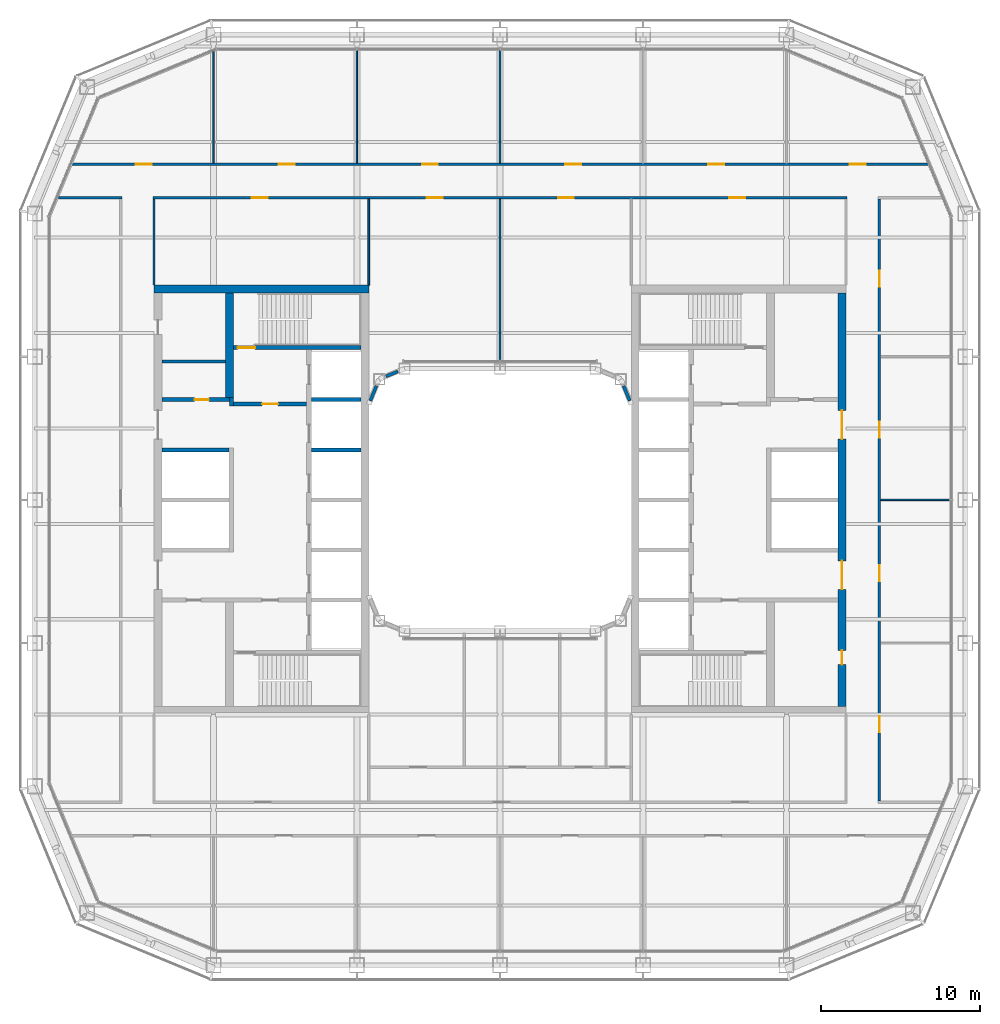
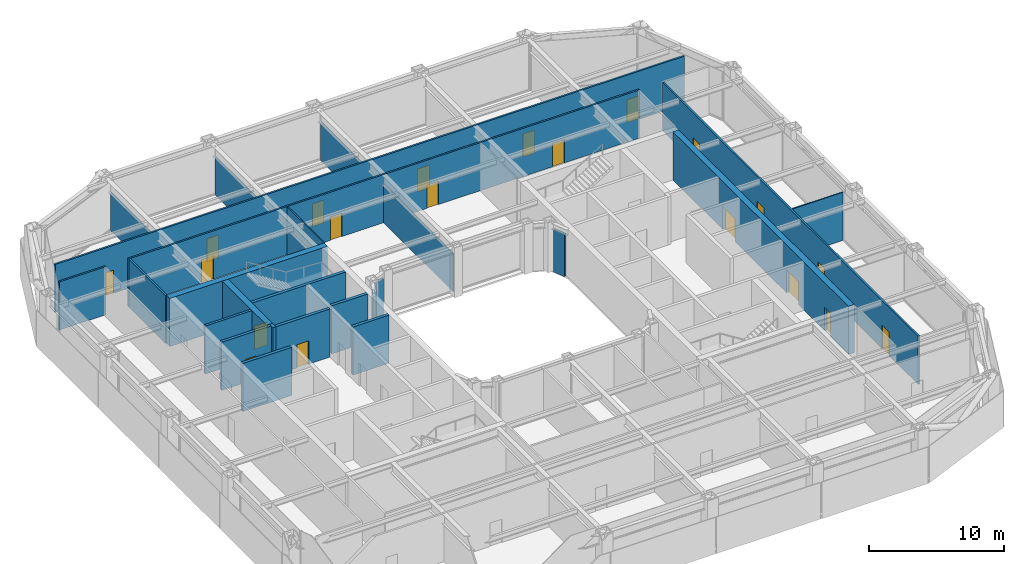
# One storey, part 13 of 21: 25 walls, 20 doors, 20 openings.
"""IFC4 building model written with IfcOpenShell, lengths in metres."""

from ifc_helpers import new_model, si_unit, direction, frame, frame_2d, origin, place, context, subcontext, project, spatial, rectangle, extrude, material, layer, layer_set, type_object, element, fill, save


model = new_model("IFC4")

# Units and contexts
model_context = context("Model", 3, precision=1e-05, world=origin(), true_north=direction((0.0, 1.0)))
body_context = subcontext(model_context, "Body", "Model", "MODEL_VIEW")
ifc_project = project(units=[si_unit("LENGTHUNIT", "METRE"), si_unit("AREAUNIT", "SQUARE_METRE"), si_unit("VOLUMEUNIT", "CUBIC_METRE"), si_unit("PLANEANGLEUNIT", "RADIAN"), si_unit("MASSUNIT", "GRAM", prefix="KILO")], contexts=[model_context])

# Site, building, storey
site_placement = place(None, origin())
site = spatial("IfcSite", under=ifc_project, at=site_placement, CompositionType="ELEMENT")
building_placement = place(site_placement, origin())
building = spatial("IfcBuilding", under=site, at=building_placement, Name="Siwar Civic Tower", CompositionType="ELEMENT")
storey_placement = place(building_placement, frame((0.0, 0.0, 140.699951171875)))
storey = spatial("IfcBuildingStorey", under=building, at=storey_placement, Name="L30", CompositionType="ELEMENT", Elevation=140.699951171875)

# Wall
ifc_material_1 = material(Name="Gypsum board on steel studs", Category="steel")
ifc_layer_1 = layer(ifc_material_1, 0.199951171875)
ifc_layer_set_1 = layer_set([ifc_layer_1], Name="Gypsum board on steel studs")
wall_type_1 = type_object("IfcWallType", Name="CORE-PARTITION-200", PredefinedType="PARTITIONING", material=ifc_layer_set_1)
wall_1_placement = place(storey_placement, frame((-17.25, 8.699951171875, 0.0), z_axis=(0.0, 0.0, 1.0), x_axis=(-1.0, 0.0, 0.0)))
element("IfcWall", 1, at=wall_1_placement, inside=storey, type_object=wall_type_1, Name="Core partition W", PredefinedType="PARTITIONING", context=body_context, shape_type="SweptSolid", body=[
    extrude(rectangle(XDim=4.0, YDim=0.199951171875, at=frame_2d((2.0, 0.0))), origin(), (0.0, 0.0, 1.0), 4.35009765625),
])

# Wall, opening, door
ifc_material_2 = material(Name="Concrete C60/75", Category="concrete")
ifc_layer_2 = layer(ifc_material_2, 0.25)
ifc_layer_set_2 = layer_set([ifc_layer_2], Name="Concrete C60/75")
wall_type_2 = type_object("IfcWallType", Name="CORE-WALL-RC250", PredefinedType="SHEAR", material=ifc_layer_set_2)
wall_2_placement = place(storey_placement, frame((-12.14990234375, 6.02490234375, 0.0), z_axis=(0.0, 0.0, 1.0), x_axis=(-1.0, 0.0, 0.0)))
wall_2 = element("IfcWall", 2, at=wall_2_placement, inside=storey, type_object=wall_type_2, Name="Core wall W", PredefinedType="SHEAR", context=body_context, shape_type="SweptSolid", body=[
    extrude(rectangle(XDim=4.60009765625, YDim=0.25, at=frame_2d((2.300048828125, 0.0))), origin(), (0.0, 0.0, 1.0), 4.35009765625),
])
opening_1_placement = place(wall_2_placement, frame((1.800048828125, 0.0, 0.0)))
opening_1 = element("IfcOpeningElement", 3, at=opening_1_placement, cuts=wall_2, Name="Opening L30-CW01", PredefinedType="OPENING", context=body_context, shape_type="SweptSolid", body=[
    extrude(rectangle(XDim=1.0, YDim=2.10009765625, at=frame_2d((0.5, 1.050048828125))), frame((0.0, 0.135009765625, 0.0), z_axis=(0.0, -1.0, 0.0), x_axis=(1.0, 0.0, 0.0)), (0.0, 0.0, 1.0), 0.27001953125),
])
ifc_material_3 = material(Name="Steel door leaf", Category="steel")
door_type_1 = type_object("IfcDoorType", Name="CORE-DOOR-FD30S", OperationType="SINGLE_SWING_LEFT", PredefinedType="DOOR", material=ifc_material_3)
door_1_placement = place(opening_1_placement, origin())
door_1 = element("IfcDoor", 4, at=door_1_placement, inside=storey, type_object=door_type_1, Name="Firefighting lobby door L30-CW01", OperationType="SINGLE_SWING_LEFT", OverallHeight=2.10009765625, OverallWidth=1.0, PredefinedType="DOOR", context=body_context, shape_type="SweptSolid", body=[
    extrude(rectangle(XDim=1.0, YDim=2.10009765625, at=frame_2d((0.5, 1.050048828125))), frame((0.0, 0.02490234375, 0.0), z_axis=(0.0, -1.0, 0.0), x_axis=(1.0, 0.0, 0.0)), (0.0, 0.0, 1.0), 0.050048828125),
])
fill(opening_1, door_1)

# Wall
wall_3_placement = place(storey_placement, frame((-16.875, 5.89990234375, 0.0), z_axis=(0.0, 0.0, 1.0), x_axis=(0.0, 1.0, 0.0)))
element("IfcWall", 5, at=wall_3_placement, inside=storey, type_object=wall_type_2, Name="Core wall W", PredefinedType="SHEAR", context=body_context, shape_type="SweptSolid", body=[
    extrude(rectangle(XDim=0.525146484375, YDim=0.25, at=frame_2d((0.2626953125, 0.0))), origin(), (0.0, 0.0, 1.0), 4.35009765625),
])

# Wall, opening, door
wall_4_placement = place(storey_placement, frame((-17.0, 6.300048828125, 0.0), z_axis=(0.0, 0.0, 1.0), x_axis=(-1.0, 0.0, 0.0)))
wall_4 = element("IfcWall", 6, at=wall_4_placement, inside=storey, type_object=wall_type_2, Name="Core wall W", PredefinedType="SHEAR", context=body_context, shape_type="SweptSolid", body=[
    extrude(rectangle(XDim=4.25, YDim=0.25, at=frame_2d((2.125, 0.0))), origin(), (0.0, 0.0, 1.0), 4.35009765625),
])
opening_2_placement = place(wall_4_placement, frame((1.300048828125, 0.0, 0.0)))
opening_2 = element("IfcOpeningElement", 7, at=opening_2_placement, cuts=wall_4, Name="Opening L30-CW13", PredefinedType="OPENING", context=body_context, shape_type="SweptSolid", body=[
    extrude(rectangle(XDim=0.89990234375, YDim=2.10009765625, at=frame_2d((0.449951171875, 1.050048828125))), frame((0.0, 0.135009765625, 0.0), z_axis=(0.0, -1.0, 0.0), x_axis=(1.0, 0.0, 0.0)), (0.0, 0.0, 1.0), 0.27001953125),
])
ifc_material_4 = material(Name="Steel door leaf", Category="steel")
door_type_2 = type_object("IfcDoorType", Name="CORE-DOOR-ROOM", OperationType="SINGLE_SWING_LEFT", PredefinedType="DOOR", material=ifc_material_4)
door_2_placement = place(opening_2_placement, origin())
door_2 = element("IfcDoor", 8, at=door_2_placement, inside=storey, type_object=door_type_2, Name="Core room door L30-CW13", OperationType="SINGLE_SWING_LEFT", OverallHeight=2.10009765625, OverallWidth=0.89990234375, PredefinedType="DOOR", context=body_context, shape_type="SweptSolid", body=[
    extrude(rectangle(XDim=0.89990234375, YDim=2.10009765625, at=frame_2d((0.449951171875, 1.050048828125))), frame((0.0, 0.02490234375, 0.0), z_axis=(0.0, -1.0, 0.0), x_axis=(1.0, 0.0, 0.0)), (0.0, 0.0, 1.0), 0.050048828125),
])
fill(opening_2, door_2)

# Walls
wall_5_placement = place(storey_placement, frame((-17.050048828125, 3.14990234375, 0.0), z_axis=(0.0, 0.0, 1.0), x_axis=(-1.0, 0.0, 0.0)))
element("IfcWall", 9, at=wall_5_placement, inside=storey, type_object=wall_type_2, Name="Core wall W", PredefinedType="SHEAR", context=body_context, shape_type="SweptSolid", body=[
    extrude(rectangle(XDim=4.199951171875, YDim=0.25, at=frame_2d((2.10009765625, 0.0))), origin(), (0.0, 0.0, 1.0), 4.35009765625),
])
for number, where, z_axis, x_axis, name in (
    (10, (-8.75, 3.14990234375, 0.0), (0.0, 0.0, 1.0), (-1.0, 0.0, 0.0), "Core wall W"),
    (11, (-8.75, 6.300048828125, 0.0), (0.0, 0.0, 1.0), (-1.0, 0.0, 0.0), "Core wall W"),
):
    element("IfcWall", number, at=place(storey_placement, frame(where, z_axis=z_axis, x_axis=x_axis)), inside=storey, type_object=wall_type_2, Name=name, PredefinedType="SHEAR", context=body_context, shape_type="SweptSolid", body=[
        extrude(rectangle(XDim=3.10009765625, YDim=0.25, at=frame_2d((1.550048828125, 0.0))), origin(), (0.0, 0.0, 1.0), 4.35009765625),
    ])

# Wall, opening, door
wall_6_placement = place(storey_placement, frame((-8.75, 9.574951171875, 0.0), z_axis=(0.0, 0.0, 1.0), x_axis=(-1.0, 0.0, 0.0)))
wall_6 = element("IfcWall", 12, at=wall_6_placement, inside=storey, type_object=wall_type_2, Name="Core wall W", PredefinedType="SHEAR", context=body_context, shape_type="SweptSolid", body=[
    extrude(rectangle(XDim=8.0, YDim=0.25, at=frame_2d((4.0, 0.0))), origin(), (0.0, 0.0, 1.0), 4.35009765625),
])
opening_3_placement = place(wall_6_placement, frame((6.64990234375, 0.0, 0.0)))
opening_3 = element("IfcOpeningElement", 13, at=opening_3_placement, cuts=wall_6, Name="Opening L30-CW03", PredefinedType="OPENING", context=body_context, shape_type="SweptSolid", body=[
    extrude(rectangle(XDim=1.10009765625, YDim=2.10009765625, at=frame_2d((0.550048828125, 1.050048828125))), frame((0.0, 0.135009765625, 0.0), z_axis=(0.0, -1.0, 0.0), x_axis=(1.0, 0.0, 0.0)), (0.0, 0.0, 1.0), 0.27001953125),
])
ifc_material_5 = material(Name="Steel door leaf", Category="steel")
door_type_3 = type_object("IfcDoorType", Name="CORE-DOOR-FD60S", OperationType="SINGLE_SWING_LEFT", PredefinedType="DOOR", material=ifc_material_5)
door_3_placement = place(opening_3_placement, origin())
door_3 = element("IfcDoor", 14, at=door_3_placement, inside=storey, type_object=door_type_3, Name="Stair door L30-CW03", OperationType="SINGLE_SWING_RIGHT", OverallHeight=2.10009765625, OverallWidth=1.10009765625, PredefinedType="DOOR", context=body_context, shape_type="SweptSolid", body=[
    extrude(rectangle(XDim=1.10009765625, YDim=2.10009765625, at=frame_2d((0.550048828125, 1.050048828125))), frame((0.0, 0.02490234375, 0.0), z_axis=(0.0, -1.0, 0.0), x_axis=(1.0, 0.0, 0.0)), (0.0, 0.0, 1.0), 0.050048828125),
])
fill(opening_3, door_3)

# Walls
ifc_material_6 = material(Name="Concrete C60/75", Category="concrete")
ifc_layer_3 = layer(ifc_material_6, 0.5)
ifc_layer_set_3 = layer_set([ifc_layer_3], Name="Concrete C60/75")
wall_type_3 = type_object("IfcWallType", Name="CORE-WALL-RC500", PredefinedType="SHEAR", material=ifc_layer_set_3)
wall_7_placement = place(storey_placement, frame((-17.0, 6.425048828125, 0.0), z_axis=(0.0, 0.0, 1.0), x_axis=(0.0, 1.0, 0.0)))
element("IfcWall", 15, at=wall_7_placement, inside=storey, type_object=wall_type_3, Name="Core wall W", PredefinedType="SHEAR", context=body_context, shape_type="SweptSolid", body=[
    extrude(rectangle(XDim=6.574951171875, YDim=0.5, at=frame_2d((3.28759765625, 0.0))), origin(), (0.0, 0.0, 1.0), 4.35009765625),
])
wall_8_placement = place(storey_placement, frame((-8.25, 13.25, 0.0), z_axis=(0.0, 0.0, 1.0), x_axis=(-1.0, 0.0, 0.0)))
element("IfcWall", 16, at=wall_8_placement, inside=storey, type_object=wall_type_3, Name="Core wall W", PredefinedType="SHEAR", context=body_context, shape_type="SweptSolid", body=[
    extrude(rectangle(XDim=13.5, YDim=0.5, at=frame_2d((6.75, 0.0))), origin(), (0.0, 0.0, 1.0), 4.35009765625),
])

# Wall, openings, doors
wall_9_placement = place(storey_placement, frame((21.5, -13.0, 0.0), z_axis=(0.0, 0.0, 1.0), x_axis=(0.0, 1.0, 0.0)))
wall_9 = element("IfcWall", 17, at=wall_9_placement, inside=storey, type_object=wall_type_3, Name="Core wall E", PredefinedType="SHEAR", context=body_context, shape_type="SweptSolid", body=[
    extrude(rectangle(XDim=26.0, YDim=0.5, at=frame_2d((13.0, 0.0))), origin(), (0.0, 0.0, 1.0), 4.35009765625),
])
opening_4_placement = place(wall_9_placement, frame((16.824951171875, 0.0, 0.0)))
opening_4 = element("IfcOpeningElement", 18, at=opening_4_placement, cuts=wall_9, Name="Opening L30-CE05", PredefinedType="OPENING", context=body_context, shape_type="SweptSolid", body=[
    extrude(rectangle(XDim=1.800048828125, YDim=2.10009765625, at=frame_2d((0.89990234375, 1.050048828125))), frame((0.0, 0.260009765625, 0.0), z_axis=(0.0, -1.0, 0.0), x_axis=(1.0, 0.0, 0.0)), (0.0, 0.0, 1.0), 0.52001953125),
])
opening_5_placement = place(wall_9_placement, frame((7.375, 0.0, 0.0)))
opening_5 = element("IfcOpeningElement", 19, at=opening_5_placement, cuts=wall_9, Name="Opening L30-CE06", PredefinedType="OPENING", context=body_context, shape_type="SweptSolid", body=[
    extrude(rectangle(XDim=1.800048828125, YDim=2.10009765625, at=frame_2d((0.89990234375, 1.050048828125))), frame((0.0, 0.260009765625, 0.0), z_axis=(0.0, -1.0, 0.0), x_axis=(1.0, 0.0, 0.0)), (0.0, 0.0, 1.0), 0.52001953125),
])
opening_6_placement = place(wall_9_placement, frame((2.64990234375, 0.0, 0.0)))
opening_6 = element("IfcOpeningElement", 20, at=opening_6_placement, cuts=wall_9, Name="Opening L30-CE14", PredefinedType="OPENING", context=body_context, shape_type="SweptSolid", body=[
    extrude(rectangle(XDim=0.89990234375, YDim=2.10009765625, at=frame_2d((0.449951171875, 1.050048828125))), frame((0.0, 0.260009765625, 0.0), z_axis=(0.0, -1.0, 0.0), x_axis=(1.0, 0.0, 0.0)), (0.0, 0.0, 1.0), 0.52001953125),
])
ifc_material_7 = material(Name="Steel door leaf", Category="steel")
door_type_4 = type_object("IfcDoorType", Name="CORE-DOOR-PORT", OperationType="DOUBLE_DOOR_DOUBLE_SWING", PredefinedType="DOOR", material=ifc_material_7)
door_4_placement = place(opening_4_placement, origin())
door_4 = element("IfcDoor", 21, at=door_4_placement, inside=storey, type_object=door_type_4, Name="Core entrance door L30-CE05", OperationType="DOUBLE_DOOR_DOUBLE_SWING", OverallHeight=2.10009765625, OverallWidth=1.800048828125, PredefinedType="DOOR", context=body_context, shape_type="SweptSolid", body=[
    extrude(rectangle(XDim=1.800048828125, YDim=2.10009765625, at=frame_2d((0.89990234375, 1.050048828125))), frame((0.0, 0.02490234375, 0.0), z_axis=(0.0, -1.0, 0.0), x_axis=(1.0, 0.0, 0.0)), (0.0, 0.0, 1.0), 0.050048828125),
])
fill(opening_4, door_4)
door_5_placement = place(opening_5_placement, origin())
door_5 = element("IfcDoor", 22, at=door_5_placement, inside=storey, type_object=door_type_4, Name="Core entrance door L30-CE06", OperationType="DOUBLE_DOOR_DOUBLE_SWING", OverallHeight=2.10009765625, OverallWidth=1.800048828125, PredefinedType="DOOR", context=body_context, shape_type="SweptSolid", body=[
    extrude(rectangle(XDim=1.800048828125, YDim=2.10009765625, at=frame_2d((0.89990234375, 1.050048828125))), frame((0.0, 0.02490234375, 0.0), z_axis=(0.0, -1.0, 0.0), x_axis=(1.0, 0.0, 0.0)), (0.0, 0.0, 1.0), 0.050048828125),
])
fill(opening_5, door_5)
door_6_placement = place(opening_6_placement, origin())
door_6 = element("IfcDoor", 23, at=door_6_placement, inside=storey, type_object=door_type_2, Name="Core room door L30-CE14", OperationType="SINGLE_SWING_RIGHT", OverallHeight=2.10009765625, OverallWidth=0.89990234375, PredefinedType="DOOR", context=body_context, shape_type="SweptSolid", body=[
    extrude(rectangle(XDim=0.89990234375, YDim=2.10009765625, at=frame_2d((0.449951171875, 1.050048828125))), frame((0.0, 0.02490234375, 0.0), z_axis=(0.0, -1.0, 0.0), x_axis=(1.0, 0.0, 0.0)), (0.0, 0.0, 1.0), 0.050048828125),
])
fill(opening_6, door_6)

# Wall
ifc_material_8 = material(Name="Gypsum board on steel studs", Category="steel")
ifc_layer_4 = layer(ifc_material_8, 0.14990234375)
ifc_layer_set_4 = layer_set([ifc_layer_4], Name="Gypsum board on steel studs")
wall_type_4 = type_object("IfcWallType", Name="CORRIDOR PARTITION 150 EI 30", PredefinedType="PARTITIONING", material=ifc_layer_set_4)
wall_10_placement = place(storey_placement, frame((-27.763916015625, 19.0, 0.0), z_axis=(0.0, 0.0, 1.0), x_axis=(1.0, 0.0, 0.0)))
element("IfcWall", 24, at=wall_10_placement, inside=storey, type_object=wall_type_4, Name="L30/wall/P10", PredefinedType="PARTITIONING", context=body_context, shape_type="SweptSolid", body=[
    extrude(rectangle(XDim=3.989013671875, YDim=0.14990234375, at=frame_2d((1.99462890625, 0.0))), origin(), (0.0, 0.0, 1.0), 4.35009765625),
])

# Wall, openings, doors
wall_11_placement = place(storey_placement, frame((-21.824951171875, 19.0, 0.0), z_axis=(0.0, 0.0, 1.0), x_axis=(1.0, 0.0, 0.0)))
wall_11 = element("IfcWall", 25, at=wall_11_placement, inside=storey, type_object=wall_type_4, Name="L30/wall/P11", PredefinedType="PARTITIONING", context=body_context, shape_type="SweptSolid", body=[
    extrude(rectangle(XDim=43.64990234375, YDim=0.14990234375, at=frame_2d((21.824951171875, 0.0))), origin(), (0.0, 0.0, 1.0), 4.35009765625),
])
opening_7_placement = place(wall_11_placement, frame((17.22509765625, 0.0, 0.0)))
opening_7 = element("IfcOpeningElement", 26, at=opening_7_placement, cuts=wall_11, Name="Opening D1", PredefinedType="OPENING", context=body_context, shape_type="SweptSolid", body=[
    extrude(rectangle(XDim=1.0, YDim=2.10009765625, at=frame_2d((0.5, 1.050048828125))), frame((0.0, 0.0849609375, 0.0), z_axis=(0.0, -1.0, 0.0), x_axis=(1.0, 0.0, 0.0)), (0.0, 0.0, 1.0), 0.169921875),
])
opening_8_placement = place(wall_11_placement, frame((25.47509765625, 0.0, 0.0)))
opening_8 = element("IfcOpeningElement", 27, at=opening_8_placement, cuts=wall_11, Name="Opening D1", PredefinedType="OPENING", context=body_context, shape_type="SweptSolid", body=[
    extrude(rectangle(XDim=1.0, YDim=2.10009765625, at=frame_2d((0.5, 1.050048828125))), frame((0.0, 0.0849609375, 0.0), z_axis=(0.0, -1.0, 0.0), x_axis=(1.0, 0.0, 0.0)), (0.0, 0.0, 1.0), 0.169921875),
])
opening_9_placement = place(wall_11_placement, frame((6.22509765625, 0.0, 0.0)))
opening_9 = element("IfcOpeningElement", 28, at=opening_9_placement, cuts=wall_11, Name="Opening D1", PredefinedType="OPENING", context=body_context, shape_type="SweptSolid", body=[
    extrude(rectangle(XDim=1.0, YDim=2.10009765625, at=frame_2d((0.5, 1.050048828125))), frame((0.0, 0.0849609375, 0.0), z_axis=(0.0, -1.0, 0.0), x_axis=(1.0, 0.0, 0.0)), (0.0, 0.0, 1.0), 0.169921875),
])
opening_10_placement = place(wall_11_placement, frame((36.22509765625, 0.0, 0.0)))
opening_10 = element("IfcOpeningElement", 29, at=opening_10_placement, cuts=wall_11, Name="Opening D1", PredefinedType="OPENING", context=body_context, shape_type="SweptSolid", body=[
    extrude(rectangle(XDim=1.0, YDim=2.10009765625, at=frame_2d((0.5, 1.050048828125))), frame((0.0, 0.0849609375, 0.0), z_axis=(0.0, -1.0, 0.0), x_axis=(1.0, 0.0, 0.0)), (0.0, 0.0, 1.0), 0.169921875),
])
ifc_material_9 = material(Name="Timber, painted", Category="wood")
door_type_5 = type_object("IfcDoorType", Name="DOOR 1000 X 2100 FD30", OperationType="SINGLE_SWING_LEFT", PredefinedType="DOOR", material=ifc_material_9)
door_7_placement = place(opening_7_placement, origin())
door_7 = element("IfcDoor", 30, at=door_7_placement, inside=storey, type_object=door_type_5, Name="L30-D13", OperationType="SINGLE_SWING_LEFT", OverallHeight=2.10009765625, OverallWidth=1.0, PredefinedType="DOOR", context=body_context, shape_type="SweptSolid", body=[
    extrude(rectangle(XDim=1.0, YDim=2.10009765625, at=frame_2d((0.5, 1.050048828125))), frame((0.0, 0.02490234375, 0.0), z_axis=(0.0, -1.0, 0.0), x_axis=(1.0, 0.0, 0.0)), (0.0, 0.0, 1.0), 0.050048828125),
])
fill(opening_7, door_7)
door_8_placement = place(opening_8_placement, origin())
door_8 = element("IfcDoor", 31, at=door_8_placement, inside=storey, type_object=door_type_5, Name="L30-D14", OperationType="SINGLE_SWING_RIGHT", OverallHeight=2.10009765625, OverallWidth=1.0, PredefinedType="DOOR", context=body_context, shape_type="SweptSolid", body=[
    extrude(rectangle(XDim=1.0, YDim=2.10009765625, at=frame_2d((0.5, 1.050048828125))), frame((0.0, 0.02490234375, 0.0), z_axis=(0.0, -1.0, 0.0), x_axis=(1.0, 0.0, 0.0)), (0.0, 0.0, 1.0), 0.050048828125),
])
fill(opening_8, door_8)
door_9_placement = place(opening_9_placement, origin())
door_9 = element("IfcDoor", 32, at=door_9_placement, inside=storey, type_object=door_type_5, Name="L30-D20", OperationType="SINGLE_SWING_RIGHT", OverallHeight=2.10009765625, OverallWidth=1.0, PredefinedType="DOOR", context=body_context, shape_type="SweptSolid", body=[
    extrude(rectangle(XDim=1.0, YDim=2.10009765625, at=frame_2d((0.5, 1.050048828125))), frame((0.0, 0.02490234375, 0.0), z_axis=(0.0, -1.0, 0.0), x_axis=(1.0, 0.0, 0.0)), (0.0, 0.0, 1.0), 0.050048828125),
])
fill(opening_9, door_9)
door_10_placement = place(opening_10_placement, origin())
door_10 = element("IfcDoor", 33, at=door_10_placement, inside=storey, type_object=door_type_5, Name="L30-D21", OperationType="SINGLE_SWING_LEFT", OverallHeight=2.10009765625, OverallWidth=1.0, PredefinedType="DOOR", context=body_context, shape_type="SweptSolid", body=[
    extrude(rectangle(XDim=1.0, YDim=2.10009765625, at=frame_2d((0.5, 1.050048828125))), frame((0.0, 0.02490234375, 0.0), z_axis=(0.0, -1.0, 0.0), x_axis=(1.0, 0.0, 0.0)), (0.0, 0.0, 1.0), 0.050048828125),
])
fill(opening_10, door_10)

wall_12_placement = place(storey_placement, frame((-26.89404296875, 21.10009765625, 0.0), z_axis=(0.0, 0.0, 1.0), x_axis=(1.0, 0.0, 0.0)))
wall_12 = element("IfcWall", 34, at=wall_12_placement, inside=storey, type_object=wall_type_4, Name="L30/wall/P13", PredefinedType="PARTITIONING", context=body_context, shape_type="SweptSolid", body=[
    extrude(rectangle(XDim=53.7880859375, YDim=0.14990234375, at=frame_2d((26.89404296875, 0.0))), origin(), (0.0, 0.0, 1.0), 4.35009765625),
])
opening_11_placement = place(wall_12_placement, frame((12.993896484375, 0.0, 0.0)))
opening_11 = element("IfcOpeningElement", 35, at=opening_11_placement, cuts=wall_12, Name="Opening D1", PredefinedType="OPENING", context=body_context, shape_type="SweptSolid", body=[
    extrude(rectangle(XDim=1.0, YDim=2.10009765625, at=frame_2d((0.5, 1.050048828125))), frame((0.0, 0.0849609375, 0.0), z_axis=(0.0, -1.0, 0.0), x_axis=(1.0, 0.0, 0.0)), (0.0, 0.0, 1.0), 0.169921875),
])
opening_12_placement = place(wall_12_placement, frame((21.993896484375, 0.0, 0.0)))
opening_12 = element("IfcOpeningElement", 36, at=opening_12_placement, cuts=wall_12, Name="Opening D1", PredefinedType="OPENING", context=body_context, shape_type="SweptSolid", body=[
    extrude(rectangle(XDim=1.0, YDim=2.10009765625, at=frame_2d((0.5, 1.050048828125))), frame((0.0, 0.0849609375, 0.0), z_axis=(0.0, -1.0, 0.0), x_axis=(1.0, 0.0, 0.0)), (0.0, 0.0, 1.0), 0.169921875),
])
opening_13_placement = place(wall_12_placement, frame((30.993896484375, 0.0, 0.0)))
opening_13 = element("IfcOpeningElement", 37, at=opening_13_placement, cuts=wall_12, Name="Opening D1", PredefinedType="OPENING", context=body_context, shape_type="SweptSolid", body=[
    extrude(rectangle(XDim=1.0, YDim=2.10009765625, at=frame_2d((0.5, 1.050048828125))), frame((0.0, 0.0849609375, 0.0), z_axis=(0.0, -1.0, 0.0), x_axis=(1.0, 0.0, 0.0)), (0.0, 0.0, 1.0), 0.169921875),
])
opening_14_placement = place(wall_12_placement, frame((39.993896484375, 0.0, 0.0)))
opening_14 = element("IfcOpeningElement", 38, at=opening_14_placement, cuts=wall_12, Name="Opening D1", PredefinedType="OPENING", context=body_context, shape_type="SweptSolid", body=[
    extrude(rectangle(XDim=1.0, YDim=2.10009765625, at=frame_2d((0.5, 1.050048828125))), frame((0.0, 0.0849609375, 0.0), z_axis=(0.0, -1.0, 0.0), x_axis=(1.0, 0.0, 0.0)), (0.0, 0.0, 1.0), 0.169921875),
])
opening_15_placement = place(wall_12_placement, frame((3.993896484375, 0.0, 0.0)))
opening_15 = element("IfcOpeningElement", 39, at=opening_15_placement, cuts=wall_12, Name="Opening D1", PredefinedType="OPENING", context=body_context, shape_type="SweptSolid", body=[
    extrude(rectangle(XDim=1.0, YDim=2.10009765625, at=frame_2d((0.5, 1.050048828125))), frame((0.0, 0.0849609375, 0.0), z_axis=(0.0, -1.0, 0.0), x_axis=(1.0, 0.0, 0.0)), (0.0, 0.0, 1.0), 0.169921875),
])
opening_16_placement = place(wall_12_placement, frame((48.887939453125, 0.0, 0.0)))
opening_16 = element("IfcOpeningElement", 40, at=opening_16_placement, cuts=wall_12, Name="Opening D1", PredefinedType="OPENING", context=body_context, shape_type="SweptSolid", body=[
    extrude(rectangle(XDim=1.0, YDim=2.10009765625, at=frame_2d((0.5, 1.050048828125))), frame((0.0, 0.0849609375, 0.0), z_axis=(0.0, -1.0, 0.0), x_axis=(1.0, 0.0, 0.0)), (0.0, 0.0, 1.0), 0.169921875),
])
door_11_placement = place(opening_11_placement, origin())
door_11 = element("IfcDoor", 41, at=door_11_placement, inside=storey, type_object=door_type_5, Name="L30-D01", OperationType="SINGLE_SWING_LEFT", OverallHeight=2.10009765625, OverallWidth=1.0, PredefinedType="DOOR", context=body_context, shape_type="SweptSolid", body=[
    extrude(rectangle(XDim=1.0, YDim=2.10009765625, at=frame_2d((0.5, 1.050048828125))), frame((0.0, 0.02490234375, 0.0), z_axis=(0.0, -1.0, 0.0), x_axis=(1.0, 0.0, 0.0)), (0.0, 0.0, 1.0), 0.050048828125),
])
fill(opening_11, door_11)
door_12_placement = place(opening_12_placement, origin())
door_12 = element("IfcDoor", 42, at=door_12_placement, inside=storey, type_object=door_type_5, Name="L30-D02", OperationType="SINGLE_SWING_RIGHT", OverallHeight=2.10009765625, OverallWidth=1.0, PredefinedType="DOOR", context=body_context, shape_type="SweptSolid", body=[
    extrude(rectangle(XDim=1.0, YDim=2.10009765625, at=frame_2d((0.5, 1.050048828125))), frame((0.0, 0.02490234375, 0.0), z_axis=(0.0, -1.0, 0.0), x_axis=(1.0, 0.0, 0.0)), (0.0, 0.0, 1.0), 0.050048828125),
])
fill(opening_12, door_12)
door_13_placement = place(opening_13_placement, origin())
door_13 = element("IfcDoor", 43, at=door_13_placement, inside=storey, type_object=door_type_5, Name="L30-D03", OperationType="SINGLE_SWING_LEFT", OverallHeight=2.10009765625, OverallWidth=1.0, PredefinedType="DOOR", context=body_context, shape_type="SweptSolid", body=[
    extrude(rectangle(XDim=1.0, YDim=2.10009765625, at=frame_2d((0.5, 1.050048828125))), frame((0.0, 0.02490234375, 0.0), z_axis=(0.0, -1.0, 0.0), x_axis=(1.0, 0.0, 0.0)), (0.0, 0.0, 1.0), 0.050048828125),
])
fill(opening_13, door_13)
door_14_placement = place(opening_14_placement, origin())
door_14 = element("IfcDoor", 44, at=door_14_placement, inside=storey, type_object=door_type_5, Name="L30-D04", OperationType="SINGLE_SWING_RIGHT", OverallHeight=2.10009765625, OverallWidth=1.0, PredefinedType="DOOR", context=body_context, shape_type="SweptSolid", body=[
    extrude(rectangle(XDim=1.0, YDim=2.10009765625, at=frame_2d((0.5, 1.050048828125))), frame((0.0, 0.02490234375, 0.0), z_axis=(0.0, -1.0, 0.0), x_axis=(1.0, 0.0, 0.0)), (0.0, 0.0, 1.0), 0.050048828125),
])
fill(opening_14, door_14)
door_15_placement = place(opening_15_placement, origin())
door_15 = element("IfcDoor", 45, at=door_15_placement, inside=storey, type_object=door_type_5, Name="L30-D09", OperationType="SINGLE_SWING_LEFT", OverallHeight=2.10009765625, OverallWidth=1.0, PredefinedType="DOOR", context=body_context, shape_type="SweptSolid", body=[
    extrude(rectangle(XDim=1.0, YDim=2.10009765625, at=frame_2d((0.5, 1.050048828125))), frame((0.0, 0.02490234375, 0.0), z_axis=(0.0, -1.0, 0.0), x_axis=(1.0, 0.0, 0.0)), (0.0, 0.0, 1.0), 0.050048828125),
])
fill(opening_15, door_15)
door_16_placement = place(opening_16_placement, origin())
door_16 = element("IfcDoor", 46, at=door_16_placement, inside=storey, type_object=door_type_5, Name="L30-D10", OperationType="SINGLE_SWING_RIGHT", OverallHeight=2.10009765625, OverallWidth=1.0, PredefinedType="DOOR", context=body_context, shape_type="SweptSolid", body=[
    extrude(rectangle(XDim=1.0, YDim=2.10009765625, at=frame_2d((0.5, 1.050048828125))), frame((0.0, 0.02490234375, 0.0), z_axis=(0.0, -1.0, 0.0), x_axis=(1.0, 0.0, 0.0)), (0.0, 0.0, 1.0), 0.050048828125),
])
fill(opening_16, door_16)

# Wall
wall_13_placement = place(storey_placement, frame((-21.75, 13.5, 0.0), z_axis=(0.0, 0.0, 1.0), x_axis=(0.0, 1.0, 0.0)))
element("IfcWall", 47, at=wall_13_placement, inside=storey, type_object=wall_type_4, Name="L30/wall/P16", PredefinedType="PARTITIONING", context=body_context, shape_type="SweptSolid", body=[
    extrude(rectangle(XDim=5.425048828125, YDim=0.14990234375, at=frame_2d((2.71240234375, 0.0))), origin(), (0.0, 0.0, 1.0), 4.35009765625),
])

# Wall, openings, doors
wall_14_placement = place(storey_placement, frame((23.85009765625, -18.925048828125, 0.0), z_axis=(0.0, 0.0, 1.0), x_axis=(0.0, 1.0, 0.0)))
wall_14 = element("IfcWall", 48, at=wall_14_placement, inside=storey, type_object=wall_type_4, Name="L30/wall/P38", PredefinedType="PARTITIONING", context=body_context, shape_type="SweptSolid", body=[
    extrude(rectangle(XDim=37.85009765625, YDim=0.14990234375, at=frame_2d((18.925048828125, 0.0))), origin(), (0.0, 0.0, 1.0), 4.35009765625),
])
opening_17_placement = place(wall_14_placement, frame((4.324951171875, 0.0, 0.0)))
opening_17 = element("IfcOpeningElement", 49, at=opening_17_placement, cuts=wall_14, Name="Opening D1", PredefinedType="OPENING", context=body_context, shape_type="SweptSolid", body=[
    extrude(rectangle(XDim=1.0, YDim=2.10009765625, at=frame_2d((0.5, 1.050048828125))), frame((0.0, 0.0849609375, 0.0), z_axis=(0.0, -1.0, 0.0), x_axis=(1.0, 0.0, 0.0)), (0.0, 0.0, 1.0), 0.169921875),
])
opening_18_placement = place(wall_14_placement, frame((13.824951171875, 0.0, 0.0)))
opening_18 = element("IfcOpeningElement", 50, at=opening_18_placement, cuts=wall_14, Name="Opening D1", PredefinedType="OPENING", context=body_context, shape_type="SweptSolid", body=[
    extrude(rectangle(XDim=1.0, YDim=2.10009765625, at=frame_2d((0.5, 1.050048828125))), frame((0.0, 0.0849609375, 0.0), z_axis=(0.0, -1.0, 0.0), x_axis=(1.0, 0.0, 0.0)), (0.0, 0.0, 1.0), 0.169921875),
])
opening_19_placement = place(wall_14_placement, frame((22.824951171875, 0.0, 0.0)))
opening_19 = element("IfcOpeningElement", 51, at=opening_19_placement, cuts=wall_14, Name="Opening D1", PredefinedType="OPENING", context=body_context, shape_type="SweptSolid", body=[
    extrude(rectangle(XDim=1.0, YDim=2.10009765625, at=frame_2d((0.5, 1.050048828125))), frame((0.0, 0.0849609375, 0.0), z_axis=(0.0, -1.0, 0.0), x_axis=(1.0, 0.0, 0.0)), (0.0, 0.0, 1.0), 0.169921875),
])
opening_20_placement = place(wall_14_placement, frame((32.324951171875, 0.0, 0.0)))
opening_20 = element("IfcOpeningElement", 52, at=opening_20_placement, cuts=wall_14, Name="Opening D1", PredefinedType="OPENING", context=body_context, shape_type="SweptSolid", body=[
    extrude(rectangle(XDim=1.0, YDim=2.10009765625, at=frame_2d((0.5, 1.050048828125))), frame((0.0, 0.0849609375, 0.0), z_axis=(0.0, -1.0, 0.0), x_axis=(1.0, 0.0, 0.0)), (0.0, 0.0, 1.0), 0.169921875),
])
door_17_placement = place(opening_17_placement, origin())
door_17 = element("IfcDoor", 53, at=door_17_placement, inside=storey, type_object=door_type_5, Name="L30-D25", OperationType="SINGLE_SWING_LEFT", OverallHeight=2.10009765625, OverallWidth=1.0, PredefinedType="DOOR", context=body_context, shape_type="SweptSolid", body=[
    extrude(rectangle(XDim=1.0, YDim=2.10009765625, at=frame_2d((0.5, 1.050048828125))), frame((0.0, 0.02490234375, 0.0), z_axis=(0.0, -1.0, 0.0), x_axis=(1.0, 0.0, 0.0)), (0.0, 0.0, 1.0), 0.050048828125),
])
fill(opening_17, door_17)
door_18_placement = place(opening_18_placement, origin())
door_18 = element("IfcDoor", 54, at=door_18_placement, inside=storey, type_object=door_type_5, Name="L30-D26", OperationType="SINGLE_SWING_RIGHT", OverallHeight=2.10009765625, OverallWidth=1.0, PredefinedType="DOOR", context=body_context, shape_type="SweptSolid", body=[
    extrude(rectangle(XDim=1.0, YDim=2.10009765625, at=frame_2d((0.5, 1.050048828125))), frame((0.0, 0.02490234375, 0.0), z_axis=(0.0, -1.0, 0.0), x_axis=(1.0, 0.0, 0.0)), (0.0, 0.0, 1.0), 0.050048828125),
])
fill(opening_18, door_18)
door_19_placement = place(opening_19_placement, origin())
door_19 = element("IfcDoor", 55, at=door_19_placement, inside=storey, type_object=door_type_5, Name="L30-D27", OperationType="SINGLE_SWING_LEFT", OverallHeight=2.10009765625, OverallWidth=1.0, PredefinedType="DOOR", context=body_context, shape_type="SweptSolid", body=[
    extrude(rectangle(XDim=1.0, YDim=2.10009765625, at=frame_2d((0.5, 1.050048828125))), frame((0.0, 0.02490234375, 0.0), z_axis=(0.0, -1.0, 0.0), x_axis=(1.0, 0.0, 0.0)), (0.0, 0.0, 1.0), 0.050048828125),
])
fill(opening_19, door_19)
door_20_placement = place(opening_20_placement, origin())
door_20 = element("IfcDoor", 56, at=door_20_placement, inside=storey, type_object=door_type_5, Name="L30-D28", OperationType="SINGLE_SWING_RIGHT", OverallHeight=2.10009765625, OverallWidth=1.0, PredefinedType="DOOR", context=body_context, shape_type="SweptSolid", body=[
    extrude(rectangle(XDim=1.0, YDim=2.10009765625, at=frame_2d((0.5, 1.050048828125))), frame((0.0, 0.02490234375, 0.0), z_axis=(0.0, -1.0, 0.0), x_axis=(1.0, 0.0, 0.0)), (0.0, 0.0, 1.0), 0.050048828125),
])
fill(opening_20, door_20)

# Walls
ifc_material_10 = material(Name="Aluminium clad insulated panel", Category="aluminium")
ifc_layer_5 = layer(ifc_material_10, 0.199951171875)
ifc_layer_set_5 = layer_set([ifc_layer_5], Name="Aluminium clad insulated panel")
wall_type_5 = type_object("IfcWallType", Name="ENV-WALL-WELL", PredefinedType="STANDARD", material=ifc_layer_set_5)
wall_15_placement = place(storey_placement, frame((8.154296875, 6.23095703125, 0.0), z_axis=(0.0, 0.0, 1.0), x_axis=(-0.382769662028, 0.923843810301, 0.0)))
element("IfcWall", 57, at=wall_15_placement, inside=storey, type_object=wall_type_5, Name="Light well corner wall NE1", PredefinedType="STANDARD", context=body_context, shape_type="SweptSolid", body=[
    extrude(rectangle(XDim=1.014892578125, YDim=0.199951171875, at=frame_2d((0.50732421875, 0.0))), origin(), (0.0, 0.0, 1.0), 3.825927734375),
])
wall_16_placement = place(storey_placement, frame((-6.422607421875, 8.074951171875, 0.0), z_axis=(0.0, 0.0, 1.0), x_axis=(-0.923817771127, -0.382832503518, 0.0)))
element("IfcWall", 58, at=wall_16_placement, inside=storey, type_object=wall_type_5, Name="Light well corner wall NW1", PredefinedType="STANDARD", context=body_context, shape_type="SweptSolid", body=[
    extrude(rectangle(XDim=0.807373046875, YDim=0.199951171875, at=frame_2d((0.40380859375, 0.0))), origin(), (0.0, 0.0, 1.0), 3.825927734375),
])
wall_17_placement = place(storey_placement, frame((-7.765869140625, 7.16845703125, 0.0), z_axis=(0.0, 0.0, 1.0), x_axis=(-0.382769662028, -0.923843810301, 0.0)))
element("IfcWall", 59, at=wall_17_placement, inside=storey, type_object=wall_type_5, Name="Light well corner wall NW2", PredefinedType="STANDARD", context=body_context, shape_type="SweptSolid", body=[
    extrude(rectangle(XDim=1.014892578125, YDim=0.199951171875, at=frame_2d((0.50732421875, 0.0))), origin(), (0.0, 0.0, 1.0), 3.825927734375),
])
ifc_material_11 = material(Name="Gypsum board on steel studs", Category="steel")
ifc_layer_6 = layer(ifc_material_11, 0.10009765625)
ifc_layer_set_6 = layer_set([ifc_layer_6], Name="Gypsum board on steel studs")
wall_type_6 = type_object("IfcWallType", Name="PARTITION 100 GYPSUM", PredefinedType="PARTITIONING", material=ifc_layer_set_6)
wall_18_placement = place(storey_placement, frame((23.925048828125, 0.0, 0.0), z_axis=(0.0, 0.0, 1.0), x_axis=(1.0, 0.0, 0.0)))
element("IfcWall", 60, at=wall_18_placement, inside=storey, type_object=wall_type_6, Name="L30/wall/P08", PredefinedType="PARTITIONING", context=body_context, shape_type="SweptSolid", body=[
    extrude(rectangle(XDim=4.3349609375, YDim=0.10009765625, at=frame_2d((2.16748046875, 0.0))), origin(), (0.0, 0.0, 1.0), 4.35009765625),
])
wall_19_placement = place(storey_placement, frame((-18.0, 21.175048828125, 0.0), z_axis=(0.0, 0.0, 1.0), x_axis=(0.0, 1.0, 0.0)))
element("IfcWall", 61, at=wall_19_placement, inside=storey, type_object=wall_type_6, Name="L30/wall/P18", PredefinedType="PARTITIONING", context=body_context, shape_type="SweptSolid", body=[
    extrude(rectangle(XDim=7.0029296875, YDim=0.10009765625, at=frame_2d((3.50146484375, 0.0))), origin(), (0.0, 0.0, 1.0), 3.449951171875),
])
wall_20_placement = place(storey_placement, frame((-9.0, 21.175048828125, 0.0), z_axis=(0.0, 0.0, 1.0), x_axis=(0.0, 1.0, 0.0)))
element("IfcWall", 62, at=wall_20_placement, inside=storey, type_object=wall_type_6, Name="L30/wall/P20", PredefinedType="PARTITIONING", context=body_context, shape_type="SweptSolid", body=[
    extrude(rectangle(XDim=7.0849609375, YDim=0.10009765625, at=frame_2d((3.54248046875, 0.0))), origin(), (0.0, 0.0, 1.0), 3.449951171875),
])
wall_21_placement = place(storey_placement, frame((-8.25, 13.5, 0.0), z_axis=(0.0, 0.0, 1.0), x_axis=(0.0, 1.0, 0.0)))
element("IfcWall", 63, at=wall_21_placement, inside=storey, type_object=wall_type_6, Name="L30/wall/P21", PredefinedType="PARTITIONING", context=body_context, shape_type="SweptSolid", body=[
    extrude(rectangle(XDim=5.425048828125, YDim=0.10009765625, at=frame_2d((2.71240234375, 0.0))), origin(), (0.0, 0.0, 1.0), 4.35009765625),
])
wall_22_placement = place(storey_placement, frame((0.0, 8.64990234375, 0.0), z_axis=(0.0, 0.0, 1.0), x_axis=(0.0, 1.0, 0.0)))
element("IfcWall", 64, at=wall_22_placement, inside=storey, type_object=wall_type_6, Name="L30/wall/P25", PredefinedType="PARTITIONING", context=body_context, shape_type="SweptSolid", body=[
    extrude(rectangle(XDim=10.275146484375, YDim=0.10009765625, at=frame_2d((5.1376953125, 0.0))), origin(), (0.0, 0.0, 1.0), 3.449951171875),
])
wall_23_placement = place(storey_placement, frame((0.0, 21.175048828125, 0.0), z_axis=(0.0, 0.0, 1.0), x_axis=(0.0, 1.0, 0.0)))
element("IfcWall", 65, at=wall_23_placement, inside=storey, type_object=wall_type_6, Name="L30/wall/P26", PredefinedType="PARTITIONING", context=body_context, shape_type="SweptSolid", body=[
    extrude(rectangle(XDim=7.0849609375, YDim=0.10009765625, at=frame_2d((3.54248046875, 0.0))), origin(), (0.0, 0.0, 1.0), 3.449951171875),
])

save(model, "model.ifc")
